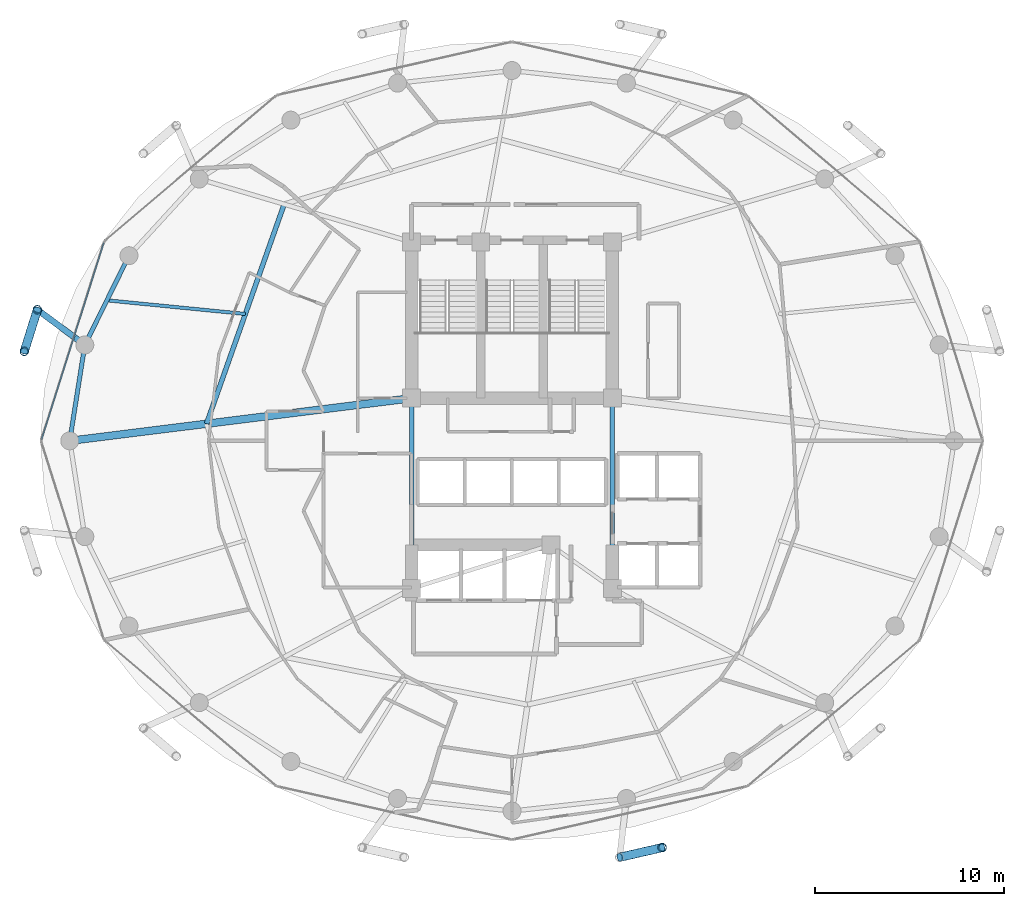
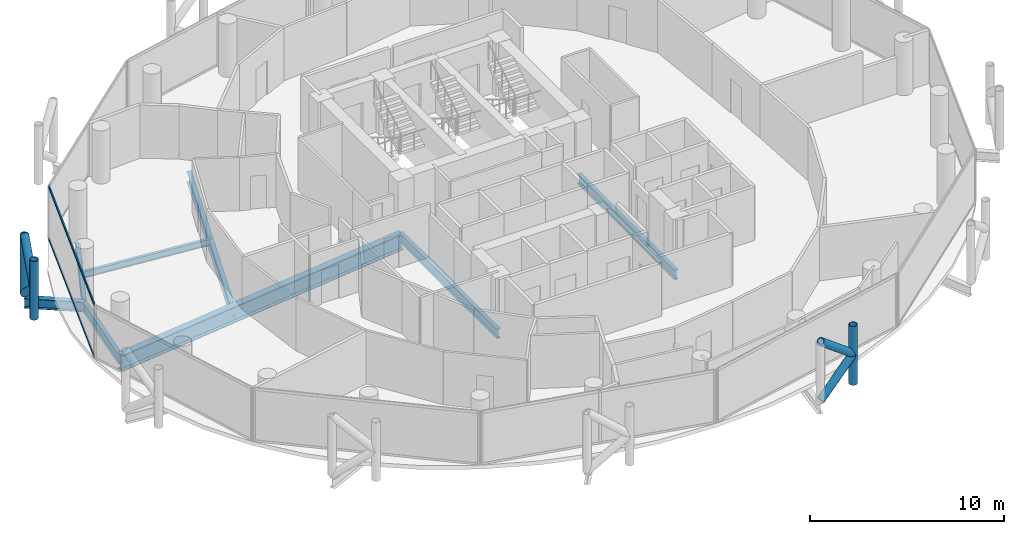
# One storey, part 7 of 26: 9 members, 8 beams, 1 element without a shape of its own.
"""IFC4 building model written with IfcOpenShell, lengths in metres."""

from ifc_helpers import new_model, si_unit, direction, frame, origin, origin_2d, place, context, subcontext, project, spatial, hollow_rectangle, hollow_circle, i_section, extrude, material, layer, layer_set, material_profile, profile_set, type_object, element, aggregate, save


model = new_model("IFC4")

# Units and contexts
model_context = context("Model", 3, precision=1e-05, world=origin(), true_north=direction((0.0, 1.0)))
body_context = subcontext(model_context, "Body", "Model", "MODEL_VIEW")
ifc_project = project(units=[si_unit("LENGTHUNIT", "METRE"), si_unit("AREAUNIT", "SQUARE_METRE"), si_unit("VOLUMEUNIT", "CUBIC_METRE"), si_unit("PLANEANGLEUNIT", "RADIAN"), si_unit("MASSUNIT", "GRAM", prefix="KILO")], contexts=[model_context])

# Site, building, storey
site_placement = place(None, origin())
site = spatial("IfcSite", under=ifc_project, at=site_placement, CompositionType="ELEMENT")
building_placement = place(site_placement, origin())
building = spatial("IfcBuilding", under=site, at=building_placement, Name="Nuhasar Tower", CompositionType="ELEMENT")
storey_placement = place(building_placement, frame((0.0, 0.0, 192.25)))
storey = spatial("IfcBuildingStorey", under=building, at=storey_placement, Name="L47", CompositionType="ELEMENT", Elevation=192.25)

# Beams
ifc_material_1 = material(Name="Steel S355", Category="steel")
ifc_material_profile_1 = material_profile(ifc_material_1, i_section(OverallWidth=0.25390625, OverallDepth=0.68408203125, WebThickness=0.012451171875, FlangeThickness=0.018798828125, at=origin_2d()), Name="W27X94")
ifc_profile_set_1 = profile_set([ifc_material_profile_1], Name="Steel S355")
beam_type_1 = type_object("IfcBeamType", Name="BM-INRING-W27X94", PredefinedType="BEAM", material=ifc_profile_set_1)
beam_1_placement = place(storey_placement, frame((26.972900390625, 39.2939453125, -0.592041015625), z_axis=(-0.333599821096, -0.942714781556, 0.0), x_axis=(0.942714781556, -0.333599821096, 0.0)))
element("IfcBeam", 1, at=beam_1_placement, inside=storey, type_object=beam_type_1, Name="L47 Inner Header Beam 07", PredefinedType="BEAM", context=body_context, shape_type="SweptSolid", body=[
    extrude(i_section(OverallWidth=0.25390625, OverallDepth=0.68408203125, WebThickness=0.012451171875, FlangeThickness=0.018798828125, at=origin_2d()), origin(), (0.0, 0.0, 1.0), 12.298583984375),
])
ifc_material_profile_2 = material_profile(ifc_material_1, i_section(OverallWidth=0.177978515625, OverallDepth=0.406005859375, WebThickness=0.0078125, FlangeThickness=0.0126953125, at=origin_2d()), Name="W16X40")
ifc_profile_set_2 = profile_set([ifc_material_profile_2], Name="Steel S355")
beam_type_2 = type_object("IfcBeamType", Name="BM-JST-W16X40", PredefinedType="JOIST", material=ifc_profile_set_2)
beam_2_placement = place(storey_placement, frame((24.922119140625, 33.4970703125, -0.452880859375), z_axis=(-0.995171845755, 0.098147834497, 0.0), x_axis=(-0.098147834497, -0.995171845755, 0.0)))
element("IfcBeam", 2, at=beam_2_placement, inside=storey, type_object=beam_type_2, Name="L47 Secondary Floor Joist 07", PredefinedType="JOIST", context=body_context, shape_type="SweptSolid", body=[
    extrude(i_section(OverallWidth=0.177978515625, OverallDepth=0.406005859375, WebThickness=0.0078125, FlangeThickness=0.0126953125, at=origin_2d()), origin(), (0.0, 0.0, 1.0), 7.345458984375),
])
ifc_material_profile_3 = material_profile(ifc_material_1, i_section(OverallWidth=0.22900390625, OverallDepth=0.612060546875, WebThickness=0.011962890625, FlangeThickness=0.01953125, at=origin_2d()), Name="W24X84")
ifc_profile_set_3 = profile_set([ifc_material_profile_3], Name="Steel S355")
beam_type_3 = type_object("IfcBeamType", Name="BM-RAD-W24X84", PredefinedType="BEAM", material=ifc_profile_set_3)
for number, where, z_axis, x_axis, name in (
    (3, (44.300048828125, 19.0, -0.555908203125), (0.0, 1.0, 0.0), (-1.0, 0.0, 0.0), "L47 Core Ring Girder 3"),
    (4, (33.699951171875, 29.050048828125, -0.555908203125), (0.0, -1.0, 0.0), (1.0, 0.0, 0.0), "L47 Core Ring Girder 8"),
):
    element("IfcBeam", number, at=place(storey_placement, frame(where, z_axis=z_axis, x_axis=x_axis)), inside=storey, type_object=beam_type_3, Name=name, PredefinedType="BEAM", context=body_context, shape_type="SweptSolid", body=[
        extrude(i_section(OverallWidth=0.22900390625, OverallDepth=0.612060546875, WebThickness=0.011962890625, FlangeThickness=0.01953125, at=origin_2d()), origin(), (0.0, 0.0, 1.0), 10.050048828125),
    ])
ifc_material_profile_4 = material_profile(ifc_material_1, i_section(OverallWidth=0.22998046875, OverallDepth=0.616943359375, WebThickness=0.01318359375, FlangeThickness=0.022216796875, at=origin_2d()), Name="W24X94")
ifc_profile_set_4 = profile_set([ifc_material_profile_4], Name="Steel S355")
beam_type_4 = type_object("IfcBeamType", Name="BM-RING-W24X94", PredefinedType="SPANDREL", material=ifc_profile_set_4)
beam_3_placement = place(storey_placement, frame((18.778076171875, 36.574951171875, -0.55908203125), z_axis=(-0.443347771709, -0.896349682501, 0.0), x_axis=(0.896349682501, -0.443347771709, 0.0)))
element("IfcBeam", 5, at=beam_3_placement, inside=storey, type_object=beam_type_4, Name="L47 Perimeter Ring Spandrel 11", PredefinedType="SPANDREL", context=body_context, shape_type="SweptSolid", body=[
    extrude(i_section(OverallWidth=0.22998046875, OverallDepth=0.616943359375, WebThickness=0.01318359375, FlangeThickness=0.022216796875, at=origin_2d()), origin(), (0.0, 0.0, 1.0), 5.260009765625),
])
beam_4_placement = place(storey_placement, frame((16.446044921875, 31.860107421875, -0.55908203125), z_axis=(-0.155426543608, -0.987847452566, 0.0), x_axis=(0.987847452566, -0.155426543608, 0.0)))
element("IfcBeam", 6, at=beam_4_placement, inside=storey, type_object=beam_type_4, Name="L47 Perimeter Ring Spandrel 12", PredefinedType="SPANDREL", context=body_context, shape_type="SweptSolid", body=[
    extrude(i_section(OverallWidth=0.22998046875, OverallDepth=0.616943359375, WebThickness=0.01318359375, FlangeThickness=0.022216796875, at=origin_2d()), origin(), (0.0, 0.0, 1.0), 5.122314453125),
])
ifc_material_profile_5 = material_profile(ifc_material_1, i_section(OverallWidth=0.323974609375, OverallDepth=0.611083984375, WebThickness=0.0126953125, FlangeThickness=0.01904296875, at=origin_2d()), Name="W24X104")
ifc_profile_set_5 = profile_set([ifc_material_profile_5], Name="Steel S355")
beam_type_5 = type_object("IfcBeamType", Name="BM-TIE-W24X104", PredefinedType="BEAM", material=ifc_profile_set_5)
beam_5_placement = place(storey_placement, frame((16.446044921875, 31.860107421875, -0.554931640625), z_axis=(-0.802872198291, 0.596151183183, 0.0), x_axis=(-0.596151183183, -0.802872198291, 0.0)))
element("IfcBeam", 7, at=beam_5_placement, inside=storey, type_object=beam_type_5, Name="L47 Exoskeleton Node Tie Beam 06", PredefinedType="BEAM", context=body_context, shape_type="SweptSolid", body=[
    extrude(i_section(OverallWidth=0.323974609375, OverallDepth=0.611083984375, WebThickness=0.0126953125, FlangeThickness=0.01904296875, at=origin_2d()), origin(), (0.0, 0.0, 1.0), 3.121337890625),
])
ifc_material_2 = material(Name="Steel S460", Category="steel")
ifc_material_profile_6 = material_profile(ifc_material_2, i_section(OverallWidth=0.40087890625, OverallDepth=1.010009765625, WebThickness=0.023681640625, FlangeThickness=0.0419921875, at=origin_2d()), Name="W40X297")
ifc_profile_set_6 = profile_set([ifc_material_profile_6], Name="Steel S460")
beam_type_6 = type_object("IfcBeamType", Name="BM-XFER-W40X297", PredefinedType="USERDEFINED", material=ifc_profile_set_6)
beam_6_placement = place(storey_placement, frame((33.699951171875, 29.050048828125, -0.7548828125), z_axis=(-0.992320149485, -0.123696082908, 0.0), x_axis=(0.123696082908, -0.992320149485, 0.0)))
element("IfcBeam", 8, at=beam_6_placement, inside=storey, type_object=beam_type_6, Name="L47 Radial Floor Girder 08", ObjectType="GIRDER", PredefinedType="USERDEFINED", context=body_context, shape_type="SweptSolid", body=[
    extrude(i_section(OverallWidth=0.40087890625, OverallDepth=1.010009765625, WebThickness=0.023681640625, FlangeThickness=0.0419921875, at=origin_2d()), origin(), (0.0, 0.0, 1.0), 18.189697265625),
])

# Curtain wall, members
ifc_material_3 = material(Name="Aluminium 6063-T6", Category="aluminium")
ifc_layer = layer(ifc_material_3, 0.199951171875)
ifc_layer_set = layer_set([ifc_layer], Name="Aluminium 6063-T6")
curtain_wall_type = type_object("IfcCurtainWallType", Name="CW-Z2-HTL", PredefinedType="NOTDEFINED", material=ifc_layer_set)
curtain_wall_placement = place(storey_placement, origin())
curtain_wall = element("IfcCurtainWall", 9, at=curtain_wall_placement, inside=storey, type_object=curtain_wall_type, Name="L47 Unitised Curtain Wall 06", PredefinedType="NOTDEFINED")
ifc_material_profile_7 = material_profile(ifc_material_3, hollow_rectangle(XDim=0.070068359375, YDim=0.159912109375, WallThickness=0.00439453125, at=origin_2d()), Name="CWT-3")
ifc_profile_set_7 = profile_set([ifc_material_profile_7], Name="Aluminium 6063-T6")
member_type_1 = type_object("IfcMemberType", Name="CW-TRN-S3", PredefinedType="USERDEFINED", material=ifc_profile_set_7)
member_1_placement = place(storey_placement, frame((17.449951171875, 37.26318359375, 0.034912109375), z_axis=(-0.301608163352, -0.953431967053, 0.0), x_axis=(0.953431967053, -0.301608163352, 0.0)))
member_1 = element("IfcMember", 10, at=member_1_placement, type_object=member_type_1, Name="CW-Z2 transom 1.1", ObjectType="TRANSOM", PredefinedType="USERDEFINED", context=body_context, shape_type="SweptSolid", body=[
    extrude(hollow_rectangle(XDim=0.070068359375, YDim=0.159912109375, WallThickness=0.00439453125, at=origin_2d()), origin(), (0.0, 0.0, 1.0), 10.904296875),
])
member_2_placement = place(storey_placement, frame((17.449951171875, 37.26318359375, 3.31494140625), z_axis=(-0.301608163352, -0.953431967053, 0.0), x_axis=(0.953431967053, -0.301608163352, 0.0)))
member_2 = element("IfcMember", 11, at=member_2_placement, type_object=member_type_1, Name="CW-Z2 transom 1.2", ObjectType="TRANSOM", PredefinedType="USERDEFINED", context=body_context, shape_type="SweptSolid", body=[
    extrude(hollow_rectangle(XDim=0.070068359375, YDim=0.159912109375, WallThickness=0.00439453125, at=origin_2d()), origin(), (0.0, 0.0, 1.0), 10.904296875),
])
aggregate(curtain_wall, [member_1, member_2])

# Members
ifc_material_profile_8 = material_profile(ifc_material_2, hollow_circle(Radius=0.228515625, WallThickness=0.022216796875, at=origin_2d()), Name="HSS457X22.2")
ifc_profile_set_8 = profile_set([ifc_material_profile_8], Name="Steel S460")
member_type_2 = type_object("IfcMemberType", Name="EXO-BRONZE-457", PredefinedType="BRACE", material=ifc_profile_set_8)
for number, where, z_axis, x_axis, name in (
    (12, (13.93994140625, 33.720947265625, 0.0), (0.0, 0.0, 1.0), (1.0, 0.0, 0.0), "L47 Exoskeleton Chord Column EC-06A"),
    (13, (13.251953125, 31.52587890625, 0.0), (0.0, 0.0, 1.0), (1.0, 0.0, 0.0), "L47 Exoskeleton Chord Column EC-06B"),
    (14, (46.927978515625, 5.323974609375, 0.0), (0.0, 0.0, 1.0), (1.0, 0.0, 0.0), "L47 Exoskeleton Chord Column EC-10B"),
):
    element("IfcMember", number, at=place(storey_placement, frame(where, z_axis=z_axis, x_axis=x_axis)), inside=storey, type_object=member_type_2, Name=name, PredefinedType="BRACE", context=body_context, shape_type="SweptSolid", body=[
        extrude(hollow_circle(Radius=0.228515625, WallThickness=0.022216796875, at=origin_2d()), origin(), (0.0, 0.0, 1.0), 3.699951171875),
    ])
member_3_placement = place(storey_placement, frame((13.93994140625, 33.720947265625, 0.0), z_axis=(-0.233055548538, -0.743577869731, 0.626719285599), x_axis=(0.954228474306, -0.29907861646, 0.0)))
element("IfcMember", 15, at=member_3_placement, inside=storey, type_object=member_type_2, Name="L47 Bronze Diagrid Brace W1-06", PredefinedType="BRACE", context=body_context, shape_type="SweptSolid", body=[
    extrude(hollow_circle(Radius=0.228515625, WallThickness=0.022216796875, at=origin_2d()), origin(), (0.0, 0.0, 1.0), 2.9521484375),
])
for number, where, z_axis, x_axis, name in (
    (16, (13.251953125, 31.52587890625, 1.85009765625), (0.233067628236, 0.74361641074, 0.626669062861), (-0.954228474306, 0.29907861646, 0.0), "L47 Bronze Diagrid Brace W2-06"),
    (17, (44.68603515625, 4.81005859375, 0.0), (0.759510488094, 0.174101010284, 0.626763637022), (-0.223432882746, 0.974719316987, 0.0), "L47 Bronze Diagrid Brace W1-10"),
):
    element("IfcMember", number, at=place(storey_placement, frame(where, z_axis=z_axis, x_axis=x_axis)), inside=storey, type_object=member_type_2, Name=name, PredefinedType="BRACE", context=body_context, shape_type="SweptSolid", body=[
        extrude(hollow_circle(Radius=0.228515625, WallThickness=0.022216796875, at=origin_2d()), origin(), (0.0, 0.0, 1.0), 2.951904296875),
    ])
member_4_placement = place(storey_placement, frame((46.927978515625, 5.323974609375, 1.85009765625), z_axis=(-0.759549860492, -0.174110035537, 0.626713415327), x_axis=(0.223432882746, -0.974719316987, 0.0)))
element("IfcMember", 18, at=member_4_placement, inside=storey, type_object=member_type_2, Name="L47 Bronze Diagrid Brace W2-10", PredefinedType="BRACE", context=body_context, shape_type="SweptSolid", body=[
    extrude(hollow_circle(Radius=0.228515625, WallThickness=0.022216796875, at=origin_2d()), origin(), (0.0, 0.0, 1.0), 2.95166015625),
])

save(model, "model.ifc")
